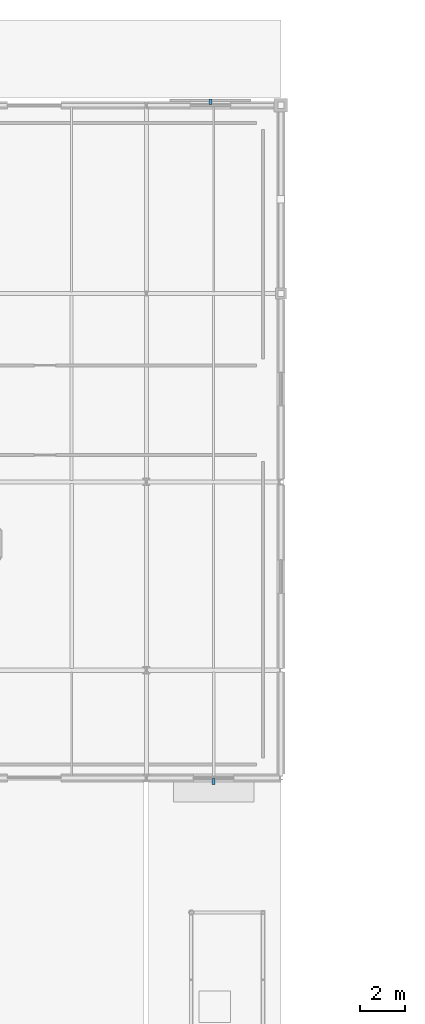
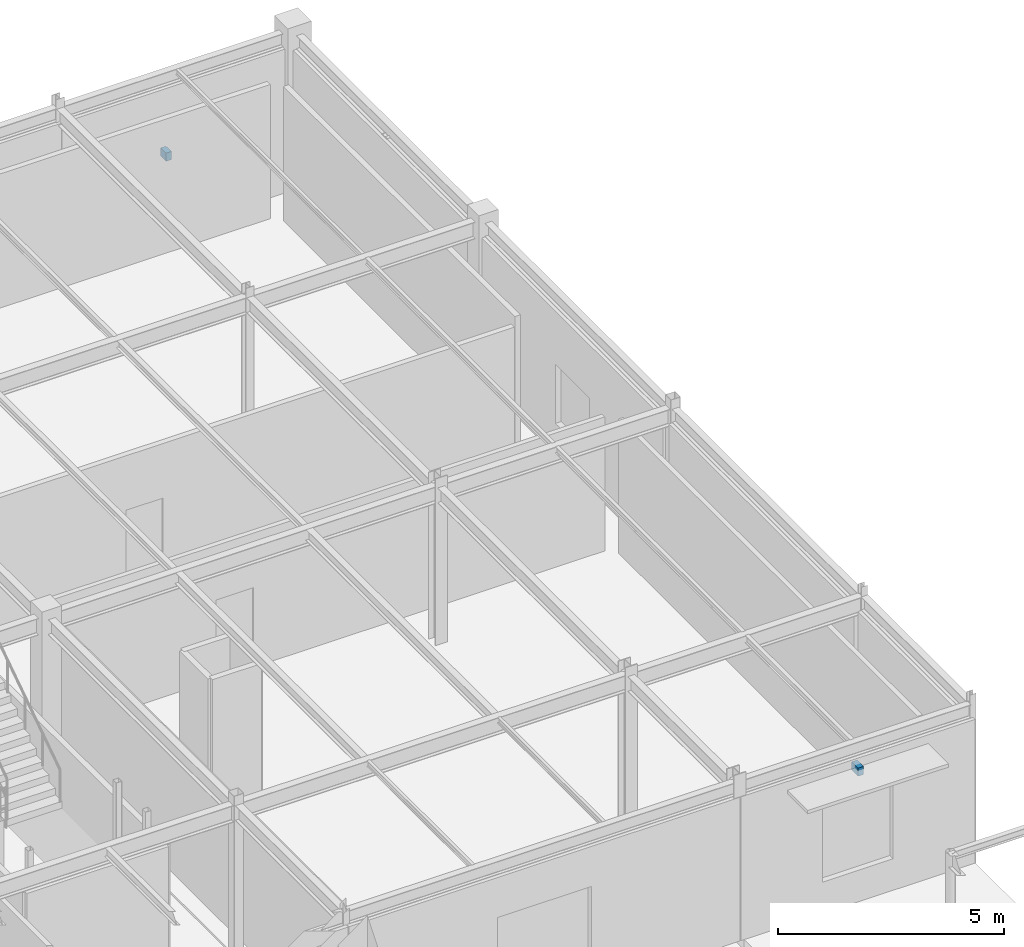
# One storey, part 102 of 119: 2 discrete accessories.
"""IFC4 building model written with IfcOpenShell, lengths in metres."""

from ifc_helpers import new_model, si_unit, derived_unit, direction, frame, origin, origin_2d_with_axis, place, context, subcontext, project, spatial, rectangle, extrude, material, type_object, element, save


model = new_model("IFC4")

# Units and contexts
model_context = context("Model", 3, precision=1e-05, world=origin(), true_north=direction((0.0, 1.0)))
body_context = subcontext(model_context, "Body", "Model", "MODEL_VIEW")
ifc_project = project(units=[si_unit("LENGTHUNIT", "METRE"), si_unit("AREAUNIT", "SQUARE_METRE"), si_unit("VOLUMEUNIT", "CUBIC_METRE"), si_unit("PLANEANGLEUNIT", "RADIAN"), si_unit("MASSUNIT", "GRAM", prefix="KILO"), derived_unit("THERMALTRANSMITTANCEUNIT", [(si_unit("POWERUNIT", "WATT"), 1), (si_unit("LENGTHUNIT", "METRE"), -2), (si_unit("THERMODYNAMICTEMPERATUREUNIT", "KELVIN"), -1)])], contexts=[model_context])

# Site, building, storey
site_placement = place(None, origin())
site = spatial("IfcSite", under=ifc_project, at=site_placement, CompositionType="ELEMENT")
building_placement = place(site_placement, origin())
building = spatial("IfcBuilding", under=site, at=building_placement, Name="Cinnabar Yard Market Hall", CompositionType="ELEMENT")
storey_placement = place(building_placement, origin())
storey = spatial("IfcBuildingStorey", under=building, at=storey_placement, Name="L00", CompositionType="ELEMENT", Elevation=0.0)

# Discrete accessories
ifc_material = material(Name="Galvanised steel Grade 350 (350 MPa)", Category="steel")
discrete_accessory_type = type_object("IfcDiscreteAccessoryType", Name="ACC-BRK1", PredefinedType="BRACKET", material=ifc_material)
discrete_accessory_1_placement = place(storey_placement, frame((159.00048828125, 107.840087890625, 3.490234375), z_axis=(0.0, 0.0, 1.0), x_axis=(1.0, 0.0, 0.0)))
element("IfcDiscreteAccessory", 1, at=discrete_accessory_1_placement, inside=storey, type_object=discrete_accessory_type, Name="Chhajja Bracket V3S-L00-10", PredefinedType="BRACKET", context=body_context, shape_type="SweptSolid", body=[
    extrude(rectangle(XDim=0.139892578125, YDim=0.280029296875, at=origin_2d_with_axis()), origin(), (0.0, 0.0, 1.0), 0.219970703125),
])
discrete_accessory_2_placement = place(storey_placement, frame((158.85302734375, 138.159912109375, 1.740234375), z_axis=(0.0, 0.0, 1.0), x_axis=(1.0, 0.0, 0.0)))
element("IfcDiscreteAccessory", 2, at=discrete_accessory_2_placement, inside=storey, type_object=discrete_accessory_type, Name="Jali Bracket V3N-L00-10", PredefinedType="BRACKET", context=body_context, shape_type="SweptSolid", body=[
    extrude(rectangle(XDim=0.139892578125, YDim=0.239990234375, at=origin_2d_with_axis()), origin(), (0.0, 0.0, 1.0), 0.219970703125),
])

save(model, "model.ifc")
